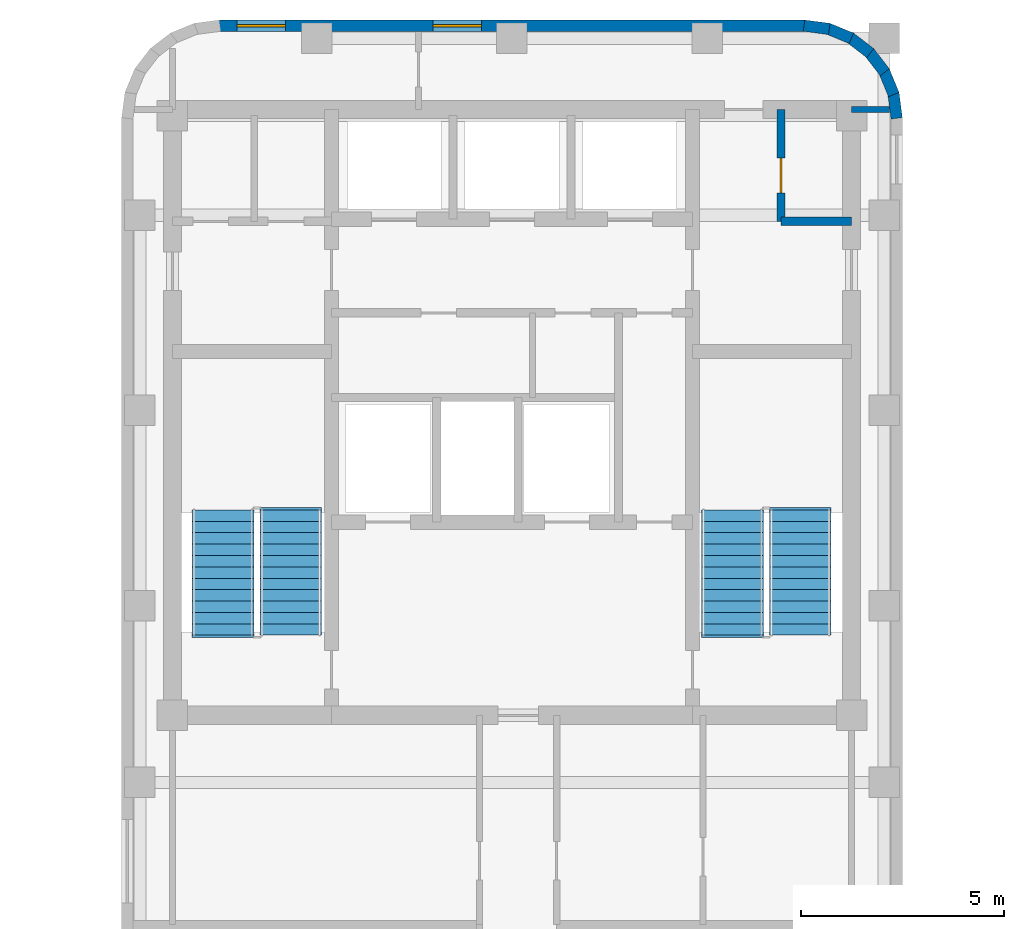
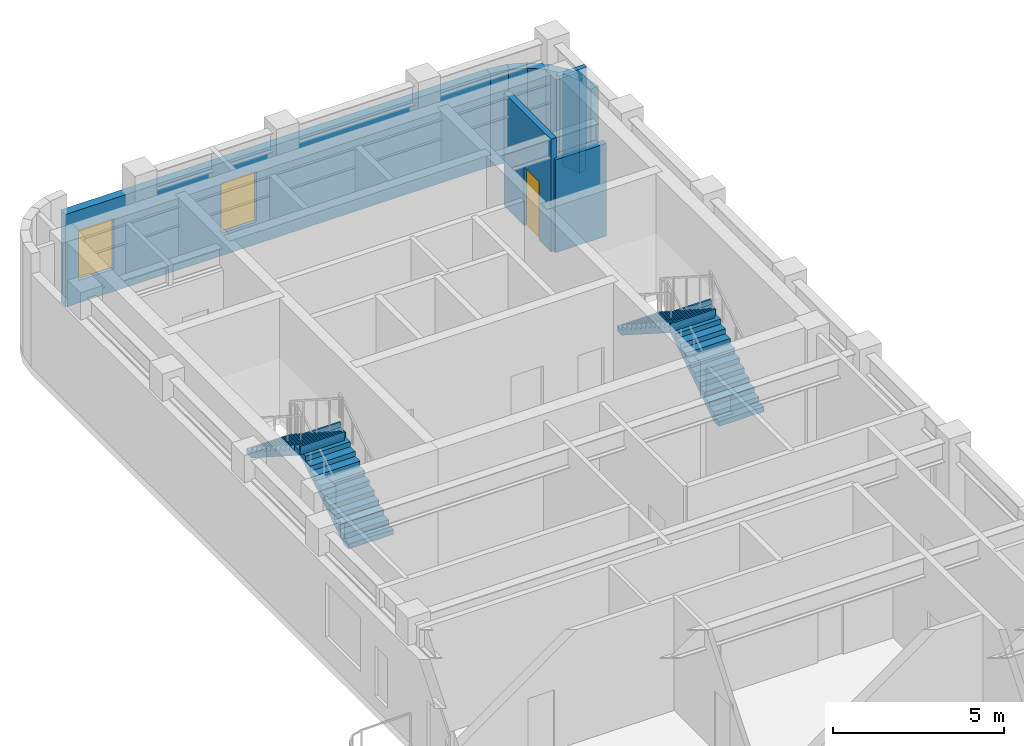
# One storey, part 5 of 6: 10 walls, 4 stair flights, 2 windows, 1 door, 3 openings, 2 elements without a shape of their own.
"""IFC4 building model written with IfcOpenShell, lengths in metres."""

from ifc_helpers import new_model, si_unit, direction, frame, frame_2d, origin, place, context, subcontext, project, spatial, polyline, rectangle, outline, extrude, material, layer, layer_set, type_object, element, fill, aggregate, save


model = new_model("IFC4")

# Units and contexts
model_context = context("Model", 3, precision=1e-05, world=origin(), true_north=direction((0.0, 1.0)))
body_context = subcontext(model_context, "Body", "Model", "MODEL_VIEW")
ifc_project = project(units=[si_unit("LENGTHUNIT", "METRE"), si_unit("AREAUNIT", "SQUARE_METRE"), si_unit("VOLUMEUNIT", "CUBIC_METRE"), si_unit("PLANEANGLEUNIT", "RADIAN"), si_unit("MASSUNIT", "GRAM", prefix="KILO")], contexts=[model_context])

# Site, building, storey
site_placement = place(None, origin())
site = spatial("IfcSite", under=ifc_project, at=site_placement, CompositionType="ELEMENT")
building_placement = place(site_placement, origin())
building = spatial("IfcBuilding", under=site, at=building_placement, Name="Orvandelia Arch Residences", CompositionType="ELEMENT")
storey_placement = place(building_placement, frame((0.0, 0.0, 278.5)))
storey = spatial("IfcBuildingStorey", under=building, at=storey_placement, Name="L72", CompositionType="ELEMENT", Elevation=278.5)

# Wall, openings, windows
ifc_material_1 = material(Name="Precast concrete C40/50", Category="concrete")
ifc_layer_1 = layer(ifc_material_1, 0.280029296875, Name="Precast concrete C40/50", Category="concrete")
ifc_layer_set_1 = layer_set([ifc_layer_1], Name="Precast concrete C40/50")
wall_type_1 = type_object("IfcWallType", Name="WL-EXT-STONE-280", PredefinedType="STANDARD", material=ifc_layer_set_1)
wall_1_placement = place(storey_placement, frame((7.199951171875, 47.860107421875, 0.0), z_axis=(0.0, 0.0, 1.0), x_axis=(1.0, 0.0, 0.0)))
wall_1 = element("IfcWall", 1, at=wall_1_placement, inside=storey, type_object=wall_type_1, Name="Coral-Limestone Precast Facade Wall L72-007", PredefinedType="STANDARD", context=body_context, shape_type="SweptSolid", body=[
    extrude(rectangle(XDim=14.400146484375, YDim=0.280029296875, at=frame_2d((7.2001953125, 0.0))), origin(), (0.0, 0.0, 1.0), 3.320068359375),
])
opening_1_placement = place(wall_1_placement, frame((0.4326171875, 0.0, 0.800048828125)))
opening_1 = element("IfcOpeningElement", 2, at=opening_1_placement, cuts=wall_1, Name="Opening W3", PredefinedType="OPENING", context=body_context, shape_type="SweptSolid", body=[
    extrude(rectangle(XDim=1.199951171875, YDim=1.800048828125, at=frame_2d((0.60009765625, 0.89990234375))), frame((0.0, 0.14990234375, 0.0), z_axis=(0.0, -1.0, 0.0), x_axis=(1.0, 0.0, 0.0)), (0.0, 0.0, 1.0), 0.300048828125),
])
opening_2_placement = place(wall_1_placement, frame((5.25244140625, 0.0, 0.800048828125)))
opening_2 = element("IfcOpeningElement", 3, at=opening_2_placement, cuts=wall_1, Name="Opening W3", PredefinedType="OPENING", context=body_context, shape_type="SweptSolid", body=[
    extrude(rectangle(XDim=1.199951171875, YDim=1.800048828125, at=frame_2d((0.60009765625, 0.89990234375))), frame((0.0, 0.14990234375, 0.0), z_axis=(0.0, -1.0, 0.0), x_axis=(1.0, 0.0, 0.0)), (0.0, 0.0, 1.0), 0.300048828125),
])
ifc_material_2 = material(Name="Tempered Low-E Insulated Glazing", Category="glass")
window_type = type_object("IfcWindowType", Name="WIN-RES-1200x1800", PartitioningType="SINGLE_PANEL", PredefinedType="WINDOW", material=ifc_material_2)
window_1_placement = place(opening_1_placement, origin())
window_1 = element("IfcWindow", 4, at=window_1_placement, inside=storey, type_object=window_type, Name="Recessed Punched Window L72-001", OverallHeight=1.800048828125, OverallWidth=1.199951171875, PartitioningType="SINGLE_PANEL", PredefinedType="WINDOW", context=body_context, shape_type="SweptSolid", body=[
    extrude(rectangle(XDim=1.199951171875, YDim=1.800048828125, at=frame_2d((0.60009765625, 0.89990234375))), frame((0.0, 0.030029296875, 0.0), z_axis=(0.0, -1.0, 0.0), x_axis=(1.0, 0.0, 0.0)), (0.0, 0.0, 1.0), 0.06005859375),
])
fill(opening_1, window_1)
window_2_placement = place(opening_2_placement, origin())
window_2 = element("IfcWindow", 5, at=window_2_placement, inside=storey, type_object=window_type, Name="Recessed Punched Window L72-002", OverallHeight=1.800048828125, OverallWidth=1.199951171875, PartitioningType="SINGLE_PANEL", PredefinedType="WINDOW", context=body_context, shape_type="SweptSolid", body=[
    extrude(rectangle(XDim=1.199951171875, YDim=1.800048828125, at=frame_2d((0.60009765625, 0.89990234375))), frame((0.0, 0.030029296875, 0.0), z_axis=(0.0, -1.0, 0.0), x_axis=(1.0, 0.0, 0.0)), (0.0, 0.0, 1.0), 0.06005859375),
])
fill(opening_2, window_2)

# Walls
for number, where, z_axis, x_axis, name in (
    (6, (21.581787109375, 47.861083984375, 0.0), (0.0, 0.0, 1.0), (0.9914410257, -0.130555323746, 0.0), "Coral-Limestone Precast Facade Wall L72-008"),
    (7, (22.16748046875, 47.788818359375, 0.0), (0.0, 0.0, 1.0), (0.924031075431, -0.382317370307, 0.0), "Coral-Limestone Precast Facade Wall L72-009"),
    (8, (22.71484375, 47.5673828125, 0.0), (0.0, 0.0, 1.0), (0.793405610854, -0.608693302629, 0.0), "Coral-Limestone Precast Facade Wall L72-010"),
    (9, (23.18603515625, 47.2119140625, 0.0), (0.0, 0.0, 1.0), (0.608693302629, -0.793405610854, 0.0), "Coral-Limestone Precast Facade Wall L72-011"),
    (10, (23.54931640625, 46.746337890625, 0.0), (0.0, 0.0, 1.0), (0.382317370307, -0.924031075431, 0.0), "Coral-Limestone Precast Facade Wall L72-012"),
    (11, (23.779296875, 46.202880859375, 0.0), (0.0, 0.0, 1.0), (0.130555323746, -0.9914410257, 0.0), "Coral-Limestone Precast Facade Wall L72-013"),
):
    element("IfcWall", number, at=place(storey_placement, frame(where, z_axis=z_axis, x_axis=x_axis)), inside=storey, type_object=wall_type_1, Name=name, PredefinedType="STANDARD", context=body_context, shape_type="SweptSolid", body=[
        extrude(rectangle(XDim=0.62646484375, YDim=0.280029296875, at=frame_2d((0.313232421875, 0.0))), origin(), (0.0, 0.0, 1.0), 3.320068359375),
    ])
ifc_material_3 = material(Name="Acoustic Gypsum Stud Partition")
ifc_layer_2 = layer(ifc_material_3, 0.14990234375, Name="Acoustic Gypsum Stud Partition")
ifc_layer_set_2 = layer_set([ifc_layer_2], Name="Acoustic Gypsum Stud Partition")
wall_type_2 = type_object("IfcWallType", Name="WL-PART-150", PredefinedType="PARTITIONING", material=ifc_layer_set_2)
wall_2_placement = place(storey_placement, frame((22.75, 45.800048828125, 0.0), z_axis=(0.0, 0.0, 1.0), x_axis=(1.0, 0.0, 0.0)))
element("IfcWall", 12, at=wall_2_placement, inside=storey, type_object=wall_type_2, Name="Interior Partition Wall WL-L72-SEFLK-N", PredefinedType="PARTITIONING", context=body_context, shape_type="SweptSolid", body=[
    extrude(rectangle(XDim=0.929931640625, YDim=0.14990234375, at=frame_2d((0.46484375, 0.0))), origin(), (0.0, 0.0, 1.0), 4.0400390625),
])
ifc_material_4 = material(Name="Fire-Rated Shaft Enclosure Wall")
ifc_layer_3 = layer(ifc_material_4, 0.199951171875, Name="Fire-Rated Shaft Enclosure Wall")
ifc_layer_set_3 = layer_set([ifc_layer_3], Name="Fire-Rated Shaft Enclosure Wall")
wall_type_3 = type_object("IfcWallType", Name="WL-SHAFT-200", PredefinedType="POLYGONAL", material=ifc_layer_set_3)
wall_3_placement = place(storey_placement, frame((21.02001953125, 43.050048828125, 0.0), z_axis=(0.0, 0.0, 1.0), x_axis=(1.0, 0.0, 0.0)))
element("IfcWall", 13, at=wall_3_placement, inside=storey, type_object=wall_type_3, Name="Interior Partition Wall WL-L72-HLE-N", PredefinedType="POLYGONAL", context=body_context, shape_type="SweptSolid", body=[
    extrude(rectangle(XDim=1.72998046875, YDim=0.199951171875, at=frame_2d((0.864990234375, 0.0))), origin(), (0.0, 0.0, 1.0), 3.320068359375),
])

# Wall, opening, door
wall_4_placement = place(storey_placement, frame((21.02001953125, 43.050048828125, 0.0), z_axis=(0.0, 0.0, 1.0), x_axis=(0.0, 1.0, 0.0)))
wall_4 = element("IfcWall", 14, at=wall_4_placement, inside=storey, type_object=wall_type_3, Name="Interior Partition Wall WL-L72-HLE-W21", PredefinedType="POLYGONAL", context=body_context, shape_type="SweptSolid", body=[
    extrude(rectangle(XDim=2.75, YDim=0.199951171875, at=frame_2d((1.375, 0.0))), origin(), (0.0, 0.0, 1.0), 4.0400390625),
])
opening_3_placement = place(wall_4_placement, frame((0.699951171875, 0.0, 0.0)))
opening_3 = element("IfcOpeningElement", 15, at=opening_3_placement, cuts=wall_4, Name="Opening D4", PredefinedType="OPENING", context=body_context, shape_type="SweptSolid", body=[
    extrude(rectangle(XDim=0.860107421875, YDim=2.10009765625, at=frame_2d((0.43017578125, 1.050048828125))), frame((0.0, 0.10986328125, 0.0), z_axis=(0.0, -1.0, 0.0), x_axis=(1.0, 0.0, 0.0)), (0.0, 0.0, 1.0), 0.219970703125),
])
ifc_material_5 = material(Name="Moisture-Sealed Timber Bathroom Door", Category="wood")
door_type = type_object("IfcDoorType", Name="DR-WET-900", OperationType="NOTDEFINED", PredefinedType="DOOR", material=ifc_material_5)
door_placement = place(opening_3_placement, origin())
door = element("IfcDoor", 16, at=door_placement, inside=storey, type_object=door_type, Name="DR-L72-CSB2", OperationType="SINGLE_SWING_LEFT", OverallHeight=2.10009765625, OverallWidth=0.860107421875, PredefinedType="DOOR", context=body_context, shape_type="SweptSolid", body=[
    extrude(rectangle(XDim=0.860107421875, YDim=2.10009765625, at=frame_2d((0.43017578125, 1.050048828125))), frame((0.0, 0.02490234375, 0.0), z_axis=(0.0, -1.0, 0.0), x_axis=(1.0, 0.0, 0.0)), (0.0, 0.0, 1.0), 0.050048828125),
])
fill(opening_3, door)

# Stair, stair flights
ifc_material_6 = material(Name="Concrete C40/50", Category="concrete")
stair_type = type_object("IfcStairType", Name="STAIR-RC-DOGLEG", PredefinedType="HALF_TURN_STAIR", material=ifc_material_6)
stair_1_placement = place(storey_placement, origin())
stair_1 = element("IfcStair", 17, at=stair_1_placement, inside=storey, type_object=stair_type, Name="L72 Protected Exit Stair ST-1", PredefinedType="HALF_TURN_STAIR")
stair_flight_type = type_object("IfcStairFlightType", Name="STFLT-RC-1520", PredefinedType="STRAIGHT", material=ifc_material_6)
stair_flight_1_placement = place(storey_placement, frame((8.9599609375, 32.8701171875, 0.0), z_axis=(0.0, 0.0, 1.0), x_axis=(0.0, 1.0, 0.0)))
stair_flight_1 = element("IfcStairFlight", 18, at=stair_flight_1_placement, type_object=stair_flight_type, Name="ST-1 flight 1", NumberOfRisers=12, NumberOfTreads=11, PredefinedType="STRAIGHT", RiserHeight=0.179166667, TreadLength=0.28, context=body_context, shape_type="SweptSolid", body=[
    extrude(outline(polyline([(0.0, 0.0), (0.0, 0.17919921875), (0.280029296875, 0.17919921875), (0.280029296875, 0.3583984375), (0.56005859375, 0.3583984375), (0.56005859375, 0.53759765625), (0.840087890625, 0.53759765625), (0.840087890625, 0.716552734375), (1.1201171875, 0.716552734375), (1.1201171875, 0.895751953125), (1.39990234375, 0.895751953125), (1.39990234375, 1.074951171875), (1.679931640625, 1.074951171875), (1.679931640625, 1.254150390625), (1.9599609375, 1.254150390625), (1.9599609375, 1.433349609375), (2.239990234375, 1.433349609375), (2.239990234375, 1.612548828125), (2.52001953125, 1.612548828125), (2.52001953125, 1.791748046875), (2.800048828125, 1.791748046875), (2.800048828125, 1.970947265625), (3.080078125, 1.970947265625), (3.080078125, 2.14990234375), (3.139892578125, 2.14990234375), (3.139892578125, 1.969970703125), (3.080078125, 1.79296875), (0.278076171875, 0.0), (0.0, 0.0)])), frame((0.0, 0.760009765625, 0.0), z_axis=(0.0, -1.0, 0.0), x_axis=(1.0, 0.0, 0.0)), (0.0, 0.0, 1.0), 1.52001953125),
])
stair_flight_2_placement = place(storey_placement, frame((7.2900390625, 35.949951171875, 2.14990234375), z_axis=(0.0, 0.0, 1.0), x_axis=(0.0, -1.0, 0.0)))
stair_flight_2 = element("IfcStairFlight", 19, at=stair_flight_2_placement, type_object=stair_flight_type, Name="ST-1 flight 2", NumberOfRisers=12, NumberOfTreads=11, PredefinedType="STRAIGHT", RiserHeight=0.179166667, TreadLength=0.28, context=body_context, shape_type="SweptSolid", body=[
    extrude(outline(polyline([(0.0, 0.0), (0.0, 0.17919921875), (0.280029296875, 0.17919921875), (0.280029296875, 0.3583984375), (0.56005859375, 0.3583984375), (0.56005859375, 0.53759765625), (0.840087890625, 0.53759765625), (0.840087890625, 0.716552734375), (1.1201171875, 0.716552734375), (1.1201171875, 0.895751953125), (1.39990234375, 0.895751953125), (1.39990234375, 1.074951171875), (1.679931640625, 1.074951171875), (1.679931640625, 1.254150390625), (1.9599609375, 1.254150390625), (1.9599609375, 1.433349609375), (2.239990234375, 1.433349609375), (2.239990234375, 1.612548828125), (2.52001953125, 1.612548828125), (2.52001953125, 1.791748046875), (2.800048828125, 1.791748046875), (2.800048828125, 1.970947265625), (3.080078125, 1.970947265625), (3.080078125, 2.14990234375), (3.139892578125, 2.14990234375), (3.139892578125, 1.969970703125), (3.080078125, 1.79296875), (0.278076171875, 0.0), (0.0, 0.0)])), frame((0.0, 0.760009765625, 0.0), z_axis=(0.0, -1.0, 0.0), x_axis=(1.0, 0.0, 0.0)), (0.0, 0.0, 1.0), 1.52001953125),
])
aggregate(stair_1, [stair_flight_1, stair_flight_2])

stair_2_placement = place(storey_placement, origin())
stair_2 = element("IfcStair", 20, at=stair_2_placement, inside=storey, type_object=stair_type, Name="L72 Protected Exit Stair ST-2", PredefinedType="HALF_TURN_STAIR")
stair_flight_3_placement = place(storey_placement, frame((21.489990234375, 32.8701171875, 0.0), z_axis=(0.0, 0.0, 1.0), x_axis=(0.0, 1.0, 0.0)))
stair_flight_3 = element("IfcStairFlight", 21, at=stair_flight_3_placement, type_object=stair_flight_type, Name="ST-2 flight 1", NumberOfRisers=12, NumberOfTreads=11, PredefinedType="STRAIGHT", RiserHeight=0.179166667, TreadLength=0.28, context=body_context, shape_type="SweptSolid", body=[
    extrude(outline(polyline([(0.0, 0.0), (0.0, 0.17919921875), (0.280029296875, 0.17919921875), (0.280029296875, 0.3583984375), (0.56005859375, 0.3583984375), (0.56005859375, 0.53759765625), (0.840087890625, 0.53759765625), (0.840087890625, 0.716552734375), (1.1201171875, 0.716552734375), (1.1201171875, 0.895751953125), (1.39990234375, 0.895751953125), (1.39990234375, 1.074951171875), (1.679931640625, 1.074951171875), (1.679931640625, 1.254150390625), (1.9599609375, 1.254150390625), (1.9599609375, 1.433349609375), (2.239990234375, 1.433349609375), (2.239990234375, 1.612548828125), (2.52001953125, 1.612548828125), (2.52001953125, 1.791748046875), (2.800048828125, 1.791748046875), (2.800048828125, 1.970947265625), (3.080078125, 1.970947265625), (3.080078125, 2.14990234375), (3.139892578125, 2.14990234375), (3.139892578125, 1.969970703125), (3.080078125, 1.79296875), (0.278076171875, 0.0), (0.0, 0.0)])), frame((0.0, 0.760009765625, 0.0), z_axis=(0.0, -1.0, 0.0), x_axis=(1.0, 0.0, 0.0)), (0.0, 0.0, 1.0), 1.52001953125),
])
stair_flight_4_placement = place(storey_placement, frame((19.820068359375, 35.949951171875, 2.14990234375), z_axis=(0.0, 0.0, 1.0), x_axis=(0.0, -1.0, 0.0)))
stair_flight_4 = element("IfcStairFlight", 22, at=stair_flight_4_placement, type_object=stair_flight_type, Name="ST-2 flight 2", NumberOfRisers=12, NumberOfTreads=11, PredefinedType="STRAIGHT", RiserHeight=0.179166667, TreadLength=0.28, context=body_context, shape_type="SweptSolid", body=[
    extrude(outline(polyline([(0.0, 0.0), (0.0, 0.17919921875), (0.280029296875, 0.17919921875), (0.280029296875, 0.3583984375), (0.56005859375, 0.3583984375), (0.56005859375, 0.53759765625), (0.840087890625, 0.53759765625), (0.840087890625, 0.716552734375), (1.1201171875, 0.716552734375), (1.1201171875, 0.895751953125), (1.39990234375, 0.895751953125), (1.39990234375, 1.074951171875), (1.679931640625, 1.074951171875), (1.679931640625, 1.254150390625), (1.9599609375, 1.254150390625), (1.9599609375, 1.433349609375), (2.239990234375, 1.433349609375), (2.239990234375, 1.612548828125), (2.52001953125, 1.612548828125), (2.52001953125, 1.791748046875), (2.800048828125, 1.791748046875), (2.800048828125, 1.970947265625), (3.080078125, 1.970947265625), (3.080078125, 2.14990234375), (3.139892578125, 2.14990234375), (3.139892578125, 1.969970703125), (3.080078125, 1.79296875), (0.278076171875, 0.0), (0.0, 0.0)])), frame((0.0, 0.760009765625, 0.0), z_axis=(0.0, -1.0, 0.0), x_axis=(1.0, 0.0, 0.0)), (0.0, 0.0, 1.0), 1.52001953125),
])
aggregate(stair_2, [stair_flight_3, stair_flight_4])

save(model, "model.ifc")
